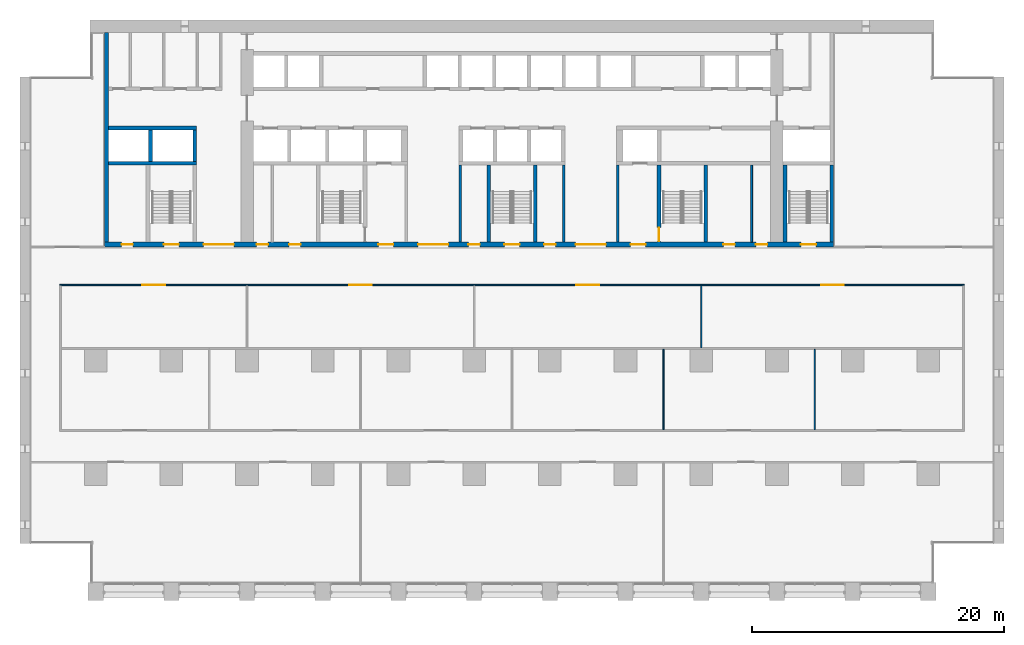
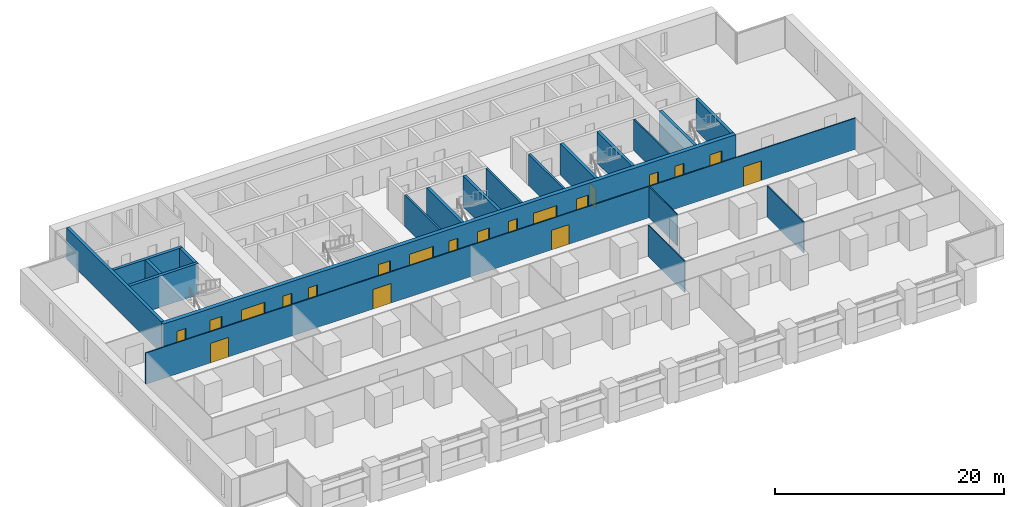
# One storey, part 10 of 18: 20 doors, 20 walls, 20 openings.
"""IFC4 building model written with IfcOpenShell, lengths in metres."""

from ifc_helpers import new_model, si_unit, direction, frame, frame_2d, origin, place, context, subcontext, project, spatial, rectangle, extrude, material, layer, layer_set, type_object, element, fill, save


model = new_model("IFC4")

# Units and contexts
model_context = context("Model", 3, precision=1e-05, world=origin(), true_north=direction((0.0, 1.0)))
body_context = subcontext(model_context, "Body", "Model", "MODEL_VIEW")
ifc_project = project(units=[si_unit("LENGTHUNIT", "METRE"), si_unit("AREAUNIT", "SQUARE_METRE"), si_unit("VOLUMEUNIT", "CUBIC_METRE"), si_unit("PLANEANGLEUNIT", "RADIAN"), si_unit("MASSUNIT", "GRAM", prefix="KILO")], contexts=[model_context])

# Site, building, storey
site_placement = place(None, origin())
site = spatial("IfcSite", under=ifc_project, at=site_placement, CompositionType="ELEMENT")
building_placement = place(site_placement, origin())
building = spatial("IfcBuilding", under=site, at=building_placement, Name="Calvaro Tower", CompositionType="ELEMENT")
storey_placement = place(building_placement, frame((0.0, 0.0, 33.75)))
storey = spatial("IfcBuildingStorey", under=building, at=storey_placement, Name="L07", CompositionType="ELEMENT", Elevation=33.75)

# Walls
ifc_material_1 = material(Name="Blockwork partition", Category="masonry")
ifc_layer_1 = layer(ifc_material_1, 0.14990234375)
ifc_layer_set_1 = layer_set([ifc_layer_1], Name="Blockwork partition")
wall_type_1 = type_object("IfcWallType", Name="Core partition 150 EI 60", PredefinedType="PARTITIONING", material=ifc_layer_set_1)
wall_1_placement = place(storey_placement, frame((58.0, 28.39990234375, 0.0), z_axis=(0.0, 0.0, 1.0), x_axis=(0.0, 1.0, 0.0)))
element("IfcWall", 1, at=wall_1_placement, inside=storey, type_object=wall_type_1, Name="Core partition", PredefinedType="PARTITIONING", context=body_context, shape_type="SweptSolid", body=[
    extrude(rectangle(XDim=6.10009765625, YDim=0.14990234375, at=frame_2d((3.050048828125, 0.0))), origin(), (0.0, 0.0, 1.0), 3.35009765625),
])
ifc_material_2 = material(Name="Blockwork partition", Category="masonry")
ifc_layer_2 = layer(ifc_material_2, 0.199951171875)
ifc_layer_set_2 = layer_set([ifc_layer_2], Name="Blockwork partition")
wall_type_2 = type_object("IfcWallType", Name="Core partition 200 REI 120", PredefinedType="PARTITIONING", material=ifc_layer_set_2)
for number, where, z_axis, x_axis, name in (
    (2, (34.89990234375, 28.39990234375, 0.0), (0.0, 0.0, 1.0), (0.0, 1.0, 0.0), "Core partition"),
    (3, (43.10009765625, 28.39990234375, 0.0), (0.0, 0.0, 1.0), (0.0, 1.0, 0.0), "Core partition"),
    (4, (47.39990234375, 28.39990234375, 0.0), (0.0, 0.0, 1.0), (0.0, 1.0, 0.0), "Core partition"),
):
    element("IfcWall", number, at=place(storey_placement, frame(where, z_axis=z_axis, x_axis=x_axis)), inside=storey, type_object=wall_type_2, Name=name, PredefinedType="PARTITIONING", context=body_context, shape_type="SweptSolid", body=[
        extrude(rectangle(XDim=6.10009765625, YDim=0.199951171875, at=frame_2d((3.050048828125, 0.0))), origin(), (0.0, 0.0, 1.0), 3.35009765625),
    ])
ifc_material_3 = material(Name="Concrete C80/95", Category="concrete")
ifc_layer_3 = layer(ifc_material_3, 0.300048828125)
ifc_layer_set_3 = layer_set([ifc_layer_3], Name="Concrete C80/95")
wall_type_3 = type_object("IfcWallType", Name="Core wall C80/95 300", PredefinedType="SHEAR", material=ifc_layer_set_3)
wall_2_placement = place(storey_placement, frame((6.85009765625, 28.39990234375, 0.0), z_axis=(0.0, 0.0, 1.0), x_axis=(0.0, 1.0, 0.0)))
element("IfcWall", 5, at=wall_2_placement, inside=storey, type_object=wall_type_3, Name="Core wall, boundary", PredefinedType="SHEAR", context=body_context, shape_type="SweptSolid", body=[
    extrude(rectangle(XDim=16.60009765625, YDim=0.300048828125, at=frame_2d((8.300048828125, 0.0))), origin(), (0.0, 0.0, 1.0), 3.35009765625),
])
for number, where, z_axis, x_axis, name in (
    (6, (37.14990234375, 28.39990234375, 0.0), (0.0, 0.0, 1.0), (0.0, 1.0, 0.0), "Core wall, stair enclosure"),
    (7, (40.85009765625, 28.39990234375, 0.0), (0.0, 0.0, 1.0), (0.0, 1.0, 0.0), "Core wall, stair enclosure"),
):
    element("IfcWall", number, at=place(storey_placement, frame(where, z_axis=z_axis, x_axis=x_axis)), inside=storey, type_object=wall_type_3, Name=name, PredefinedType="SHEAR", context=body_context, shape_type="SweptSolid", body=[
        extrude(rectangle(XDim=6.10009765625, YDim=0.300048828125, at=frame_2d((3.050048828125, 0.0))), origin(), (0.0, 0.0, 1.0), 3.35009765625),
    ])

# Wall, opening, door
wall_3_placement = place(storey_placement, frame((50.64990234375, 34.5, 0.0), z_axis=(0.0, 0.0, 1.0), x_axis=(0.0, -1.0, 0.0)))
wall_3 = element("IfcWall", 8, at=wall_3_placement, inside=storey, type_object=wall_type_3, Name="Core wall, stair enclosure", PredefinedType="SHEAR", context=body_context, shape_type="SweptSolid", body=[
    extrude(rectangle(XDim=6.10009765625, YDim=0.300048828125, at=frame_2d((3.050048828125, 0.0))), origin(), (0.0, 0.0, 1.0), 3.35009765625),
])
opening_1_placement = place(wall_3_placement, frame((4.949951171875, 0.0, 0.0)))
opening_1 = element("IfcOpeningElement", 9, at=opening_1_placement, cuts=wall_3, Name="Opening FD11D", PredefinedType="OPENING", context=body_context, shape_type="SweptSolid", body=[
    extrude(rectangle(XDim=1.10009765625, YDim=2.10009765625, at=frame_2d((0.550048828125, 1.050048828125))), frame((0.0, 0.159912109375, 0.0), z_axis=(0.0, -1.0, 0.0), x_axis=(1.0, 0.0, 0.0)), (0.0, 0.0, 1.0), 0.320068359375),
])
ifc_material_4 = material(Name="Steel door set", Category="steel")
door_type_1 = type_object("IfcDoorType", Name="Fire door 1100 FD30S", OperationType="SINGLE_SWING_LEFT", PredefinedType="DOOR", material=ifc_material_4)
door_1_placement = place(opening_1_placement, origin())
door_1 = element("IfcDoor", 10, at=door_1_placement, inside=storey, type_object=door_type_1, Name="Fire door", OperationType="SINGLE_SWING_RIGHT", OverallHeight=2.10009765625, OverallWidth=1.10009765625, PredefinedType="DOOR", context=body_context, shape_type="SweptSolid", body=[
    extrude(rectangle(XDim=1.10009765625, YDim=2.10009765625, at=frame_2d((0.550048828125, 1.050048828125))), frame((0.0, 0.02490234375, 0.0), z_axis=(0.0, -1.0, 0.0), x_axis=(1.0, 0.0, 0.0)), (0.0, 0.0, 1.0), 0.050048828125),
])
fill(opening_1, door_1)

# Walls
for number, where, z_axis, x_axis, name in (
    (11, (54.35009765625, 28.39990234375, 0.0), (0.0, 0.0, 1.0), (0.0, 1.0, 0.0), "Core wall, stair enclosure"),
    (12, (60.64990234375, 28.39990234375, 0.0), (0.0, 0.0, 1.0), (0.0, 1.0, 0.0), "Core wall, stair enclosure"),
    (13, (64.35009765625, 28.39990234375, 0.0), (0.0, 0.0, 1.0), (0.0, 1.0, 0.0), "Core wall, stair enclosure"),
):
    element("IfcWall", number, at=place(storey_placement, frame(where, z_axis=z_axis, x_axis=x_axis)), inside=storey, type_object=wall_type_3, Name=name, PredefinedType="SHEAR", context=body_context, shape_type="SweptSolid", body=[
        extrude(rectangle(XDim=6.10009765625, YDim=0.300048828125, at=frame_2d((3.050048828125, 0.0))), origin(), (0.0, 0.0, 1.0), 3.35009765625),
    ])
for number, where, z_axis, x_axis, name in (
    (14, (7.0, 34.64990234375, 0.0), (0.0, 0.0, 1.0), (1.0, 0.0, 0.0), "Core wall, lift shaft"),
    (15, (7.0, 37.449951171875, 0.0), (0.0, 0.0, 1.0), (1.0, 0.0, 0.0), "Core wall, lift shaft"),
):
    element("IfcWall", number, at=place(storey_placement, frame(where, z_axis=z_axis, x_axis=x_axis)), inside=storey, type_object=wall_type_3, Name=name, PredefinedType="SHEAR", context=body_context, shape_type="SweptSolid", body=[
        extrude(rectangle(XDim=7.0, YDim=0.300048828125, at=frame_2d((3.5, 0.0))), origin(), (0.0, 0.0, 1.0), 3.35009765625),
    ])
for number, where, z_axis, x_axis, name in (
    (16, (13.85009765625, 34.800048828125, 0.0), (0.0, 0.0, 1.0), (0.0, 1.0, 0.0), "Core wall, lift shaft"),
    (17, (10.35009765625, 34.800048828125, 0.0), (0.0, 0.0, 1.0), (0.0, 1.0, 0.0), "Core wall, lift shaft"),
):
    element("IfcWall", number, at=place(storey_placement, frame(where, z_axis=z_axis, x_axis=x_axis)), inside=storey, type_object=wall_type_3, Name=name, PredefinedType="SHEAR", context=body_context, shape_type="SweptSolid", body=[
        extrude(rectangle(XDim=2.5, YDim=0.300048828125, at=frame_2d((1.25, 0.0))), origin(), (0.0, 0.0, 1.0), 3.35009765625),
    ])

# Wall, openings, doors
ifc_material_5 = material(Name="Concrete C80/95", Category="concrete")
ifc_layer_4 = layer(ifc_material_5, 0.39990234375)
ifc_layer_set_4 = layer_set([ifc_layer_4], Name="Concrete C80/95")
wall_type_4 = type_object("IfcWallType", Name="Core wall C80/95 400", PredefinedType="SHEAR", material=ifc_layer_set_4)
wall_4_placement = place(storey_placement, frame((6.699951171875, 28.199951171875, 0.0), z_axis=(0.0, 0.0, 1.0), x_axis=(1.0, 0.0, 0.0)))
wall_4 = element("IfcWall", 18, at=wall_4_placement, inside=storey, type_object=wall_type_4, Name="Core wall, front", PredefinedType="SHEAR", context=body_context, shape_type="SweptSolid", body=[
    extrude(rectangle(XDim=57.800048828125, YDim=0.39990234375, at=frame_2d((28.89990234375, 0.0))), origin(), (0.0, 0.0, 1.0), 3.35009765625),
])
opening_2_placement = place(wall_4_placement, frame((12.0625, 0.0, 0.0)))
opening_2 = element("IfcOpeningElement", 19, at=opening_2_placement, cuts=wall_4, Name="Opening RD9C", PredefinedType="OPENING", context=body_context, shape_type="SweptSolid", body=[
    extrude(rectangle(XDim=0.89990234375, YDim=2.10009765625, at=frame_2d((0.449951171875, 1.050048828125))), frame((0.0, 0.2099609375, 0.0), z_axis=(0.0, -1.0, 0.0), x_axis=(1.0, 0.0, 0.0)), (0.0, 0.0, 1.0), 0.419921875),
])
opening_3_placement = place(wall_4_placement, frame((14.637451171875, 0.0, 0.0)))
opening_3 = element("IfcOpeningElement", 20, at=opening_3_placement, cuts=wall_4, Name="Opening RD9E", PredefinedType="OPENING", context=body_context, shape_type="SweptSolid", body=[
    extrude(rectangle(XDim=0.89990234375, YDim=2.10009765625, at=frame_2d((0.449951171875, 1.050048828125))), frame((0.0, 0.2099609375, 0.0), z_axis=(0.0, -1.0, 0.0), x_axis=(1.0, 0.0, 0.0)), (0.0, 0.0, 1.0), 0.419921875),
])
opening_4_placement = place(wall_4_placement, frame((49.0625, 0.0, 0.0)))
opening_4 = element("IfcOpeningElement", 21, at=opening_4_placement, cuts=wall_4, Name="Opening RD9E", PredefinedType="OPENING", context=body_context, shape_type="SweptSolid", body=[
    extrude(rectangle(XDim=0.89990234375, YDim=2.10009765625, at=frame_2d((0.449951171875, 1.050048828125))), frame((0.0, 0.2099609375, 0.0), z_axis=(0.0, -1.0, 0.0), x_axis=(1.0, 0.0, 0.0)), (0.0, 0.0, 1.0), 0.419921875),
])
opening_5_placement = place(wall_4_placement, frame((51.637451171875, 0.0, 0.0)))
opening_5 = element("IfcOpeningElement", 22, at=opening_5_placement, cuts=wall_4, Name="Opening RD9C", PredefinedType="OPENING", context=body_context, shape_type="SweptSolid", body=[
    extrude(rectangle(XDim=0.89990234375, YDim=2.10009765625, at=frame_2d((0.449951171875, 1.050048828125))), frame((0.0, 0.2099609375, 0.0), z_axis=(0.0, -1.0, 0.0), x_axis=(1.0, 0.0, 0.0)), (0.0, 0.0, 1.0), 0.419921875),
])
opening_6_placement = place(wall_4_placement, frame((1.35009765625, 0.0, 0.0)))
opening_6 = element("IfcOpeningElement", 23, at=opening_6_placement, cuts=wall_4, Name="Opening RD9E", PredefinedType="OPENING", context=body_context, shape_type="SweptSolid", body=[
    extrude(rectangle(XDim=0.89990234375, YDim=2.10009765625, at=frame_2d((0.449951171875, 1.050048828125))), frame((0.0, 0.2099609375, 0.0), z_axis=(0.0, -1.0, 0.0), x_axis=(1.0, 0.0, 0.0)), (0.0, 0.0, 1.0), 0.419921875),
])
opening_7_placement = place(wall_4_placement, frame((4.699951171875, 0.0, 0.0)))
opening_7 = element("IfcOpeningElement", 24, at=opening_7_placement, cuts=wall_4, Name="Opening SD12D", PredefinedType="OPENING", context=body_context, shape_type="SweptSolid", body=[
    extrude(rectangle(XDim=1.199951171875, YDim=2.10009765625, at=frame_2d((0.60009765625, 1.050048828125))), frame((0.0, 0.2099609375, 0.0), z_axis=(0.0, -1.0, 0.0), x_axis=(1.0, 0.0, 0.0)), (0.0, 0.0, 1.0), 0.419921875),
])
opening_8_placement = place(wall_4_placement, frame((31.699951171875, 0.0, 0.0)))
opening_8 = element("IfcOpeningElement", 25, at=opening_8_placement, cuts=wall_4, Name="Opening SD12D", PredefinedType="OPENING", context=body_context, shape_type="SweptSolid", body=[
    extrude(rectangle(XDim=1.199951171875, YDim=2.10009765625, at=frame_2d((0.60009765625, 1.050048828125))), frame((0.0, 0.2099609375, 0.0), z_axis=(0.0, -1.0, 0.0), x_axis=(1.0, 0.0, 0.0)), (0.0, 0.0, 1.0), 0.419921875),
])
opening_9_placement = place(wall_4_placement, frame((55.199951171875, 0.0, 0.0)))
opening_9 = element("IfcOpeningElement", 26, at=opening_9_placement, cuts=wall_4, Name="Opening SD12D", PredefinedType="OPENING", context=body_context, shape_type="SweptSolid", body=[
    extrude(rectangle(XDim=1.199951171875, YDim=2.10009765625, at=frame_2d((0.60009765625, 1.050048828125))), frame((0.0, 0.2099609375, 0.0), z_axis=(0.0, -1.0, 0.0), x_axis=(1.0, 0.0, 0.0)), (0.0, 0.0, 1.0), 0.419921875),
])
opening_10_placement = place(wall_4_placement, frame((21.699951171875, 0.0, 0.0)))
opening_10 = element("IfcOpeningElement", 27, at=opening_10_placement, cuts=wall_4, Name="Opening FD12F", PredefinedType="OPENING", context=body_context, shape_type="SweptSolid", body=[
    extrude(rectangle(XDim=1.199951171875, YDim=2.10009765625, at=frame_2d((0.60009765625, 1.050048828125))), frame((0.0, 0.2099609375, 0.0), z_axis=(0.0, -1.0, 0.0), x_axis=(1.0, 0.0, 0.0)), (0.0, 0.0, 1.0), 0.419921875),
])
opening_11_placement = place(wall_4_placement, frame((41.699951171875, 0.0, 0.0)))
opening_11 = element("IfcOpeningElement", 28, at=opening_11_placement, cuts=wall_4, Name="Opening FD12F", PredefinedType="OPENING", context=body_context, shape_type="SweptSolid", body=[
    extrude(rectangle(XDim=1.199951171875, YDim=2.10009765625, at=frame_2d((0.60009765625, 1.050048828125))), frame((0.0, 0.2099609375, 0.0), z_axis=(0.0, -1.0, 0.0), x_axis=(1.0, 0.0, 0.0)), (0.0, 0.0, 1.0), 0.419921875),
])
opening_12_placement = place(wall_4_placement, frame((24.85009765625, 0.0, 0.0)))
opening_12 = element("IfcOpeningElement", 29, at=opening_12_placement, cuts=wall_4, Name="Opening DD24D", PredefinedType="OPENING", context=body_context, shape_type="SweptSolid", body=[
    extrude(rectangle(XDim=2.39990234375, YDim=2.10009765625, at=frame_2d((1.199951171875, 1.050048828125))), frame((0.0, 0.2099609375, 0.0), z_axis=(0.0, -1.0, 0.0), x_axis=(1.0, 0.0, 0.0)), (0.0, 0.0, 1.0), 0.419921875),
])
opening_13_placement = place(wall_4_placement, frame((37.35009765625, 0.0, 0.0)))
opening_13 = element("IfcOpeningElement", 30, at=opening_13_placement, cuts=wall_4, Name="Opening DD24D", PredefinedType="OPENING", context=body_context, shape_type="SweptSolid", body=[
    extrude(rectangle(XDim=2.39990234375, YDim=2.10009765625, at=frame_2d((1.199951171875, 1.050048828125))), frame((0.0, 0.2099609375, 0.0), z_axis=(0.0, -1.0, 0.0), x_axis=(1.0, 0.0, 0.0)), (0.0, 0.0, 1.0), 0.419921875),
])
opening_14_placement = place(wall_4_placement, frame((7.85009765625, 0.0, 0.0)))
opening_14 = element("IfcOpeningElement", 31, at=opening_14_placement, cuts=wall_4, Name="Opening DD24D", PredefinedType="OPENING", context=body_context, shape_type="SweptSolid", body=[
    extrude(rectangle(XDim=2.39990234375, YDim=2.10009765625, at=frame_2d((1.199951171875, 1.050048828125))), frame((0.0, 0.2099609375, 0.0), z_axis=(0.0, -1.0, 0.0), x_axis=(1.0, 0.0, 0.0)), (0.0, 0.0, 1.0), 0.419921875),
])
opening_15_placement = place(wall_4_placement, frame((28.85009765625, 0.0, 0.0)))
opening_15 = element("IfcOpeningElement", 32, at=opening_15_placement, cuts=wall_4, Name="Opening RD9E", PredefinedType="OPENING", context=body_context, shape_type="SweptSolid", body=[
    extrude(rectangle(XDim=0.89990234375, YDim=2.10009765625, at=frame_2d((0.449951171875, 1.050048828125))), frame((0.0, 0.2099609375, 0.0), z_axis=(0.0, -1.0, 0.0), x_axis=(1.0, 0.0, 0.0)), (0.0, 0.0, 1.0), 0.419921875),
])
opening_16_placement = place(wall_4_placement, frame((34.85009765625, 0.0, 0.0)))
opening_16 = element("IfcOpeningElement", 33, at=opening_16_placement, cuts=wall_4, Name="Opening RD9E", PredefinedType="OPENING", context=body_context, shape_type="SweptSolid", body=[
    extrude(rectangle(XDim=0.89990234375, YDim=2.10009765625, at=frame_2d((0.449951171875, 1.050048828125))), frame((0.0, 0.2099609375, 0.0), z_axis=(0.0, -1.0, 0.0), x_axis=(1.0, 0.0, 0.0)), (0.0, 0.0, 1.0), 0.419921875),
])
ifc_material_6 = material(Name="Steel door set", Category="steel")
door_type_2 = type_object("IfcDoorType", Name="Fire door 1200 FD60S", OperationType="SINGLE_SWING_LEFT", PredefinedType="DOOR", material=ifc_material_6)
door_2_placement = place(opening_10_placement, origin())
door_2 = element("IfcDoor", 34, at=door_2_placement, inside=storey, type_object=door_type_2, Name="Fire door", OperationType="SINGLE_SWING_LEFT", OverallHeight=2.10009765625, OverallWidth=1.199951171875, PredefinedType="DOOR", context=body_context, shape_type="SweptSolid", body=[
    extrude(rectangle(XDim=1.199951171875, YDim=2.10009765625, at=frame_2d((0.60009765625, 1.050048828125))), frame((0.0, 0.02490234375, 0.0), z_axis=(0.0, -1.0, 0.0), x_axis=(1.0, 0.0, 0.0)), (0.0, 0.0, 1.0), 0.050048828125),
])
fill(opening_10, door_2)
door_3_placement = place(opening_11_placement, origin())
door_3 = element("IfcDoor", 35, at=door_3_placement, inside=storey, type_object=door_type_2, Name="Fire door", OperationType="SINGLE_SWING_LEFT", OverallHeight=2.10009765625, OverallWidth=1.199951171875, PredefinedType="DOOR", context=body_context, shape_type="SweptSolid", body=[
    extrude(rectangle(XDim=1.199951171875, YDim=2.10009765625, at=frame_2d((0.60009765625, 1.050048828125))), frame((0.0, 0.02490234375, 0.0), z_axis=(0.0, -1.0, 0.0), x_axis=(1.0, 0.0, 0.0)), (0.0, 0.0, 1.0), 0.050048828125),
])
fill(opening_11, door_3)
ifc_material_7 = material(Name="Steel door set", Category="steel")
door_type_3 = type_object("IfcDoorType", Name="Lobby double door 2400 FD30S", OperationType="DOUBLE_DOOR_SINGLE_SWING", PredefinedType="DOOR", material=ifc_material_7)
door_4_placement = place(opening_12_placement, origin())
door_4 = element("IfcDoor", 36, at=door_4_placement, inside=storey, type_object=door_type_3, Name="Lobby double door", OperationType="DOUBLE_DOOR_SINGLE_SWING", OverallHeight=2.10009765625, OverallWidth=2.39990234375, PredefinedType="DOOR", context=body_context, shape_type="SweptSolid", body=[
    extrude(rectangle(XDim=2.39990234375, YDim=2.10009765625, at=frame_2d((1.199951171875, 1.050048828125))), frame((0.0, 0.02490234375, 0.0), z_axis=(0.0, -1.0, 0.0), x_axis=(1.0, 0.0, 0.0)), (0.0, 0.0, 1.0), 0.050048828125),
])
fill(opening_12, door_4)
door_5_placement = place(opening_13_placement, origin())
door_5 = element("IfcDoor", 37, at=door_5_placement, inside=storey, type_object=door_type_3, Name="Lobby double door", OperationType="DOUBLE_DOOR_SINGLE_SWING", OverallHeight=2.10009765625, OverallWidth=2.39990234375, PredefinedType="DOOR", context=body_context, shape_type="SweptSolid", body=[
    extrude(rectangle(XDim=2.39990234375, YDim=2.10009765625, at=frame_2d((1.199951171875, 1.050048828125))), frame((0.0, 0.02490234375, 0.0), z_axis=(0.0, -1.0, 0.0), x_axis=(1.0, 0.0, 0.0)), (0.0, 0.0, 1.0), 0.050048828125),
])
fill(opening_13, door_5)
door_6_placement = place(opening_14_placement, origin())
door_6 = element("IfcDoor", 38, at=door_6_placement, inside=storey, type_object=door_type_3, Name="Lobby double door", OperationType="DOUBLE_DOOR_SINGLE_SWING", OverallHeight=2.10009765625, OverallWidth=2.39990234375, PredefinedType="DOOR", context=body_context, shape_type="SweptSolid", body=[
    extrude(rectangle(XDim=2.39990234375, YDim=2.10009765625, at=frame_2d((1.199951171875, 1.050048828125))), frame((0.0, 0.02490234375, 0.0), z_axis=(0.0, -1.0, 0.0), x_axis=(1.0, 0.0, 0.0)), (0.0, 0.0, 1.0), 0.050048828125),
])
fill(opening_14, door_6)
ifc_material_8 = material(Name="Steel door set", Category="steel")
door_type_4 = type_object("IfcDoorType", Name="Room door 900 FD30", OperationType="SINGLE_SWING_LEFT", PredefinedType="DOOR", material=ifc_material_8)
door_7_placement = place(opening_2_placement, origin())
door_7 = element("IfcDoor", 39, at=door_7_placement, inside=storey, type_object=door_type_4, Name="Room door", OperationType="SINGLE_SWING_LEFT", OverallHeight=2.10009765625, OverallWidth=0.89990234375, PredefinedType="DOOR", context=body_context, shape_type="SweptSolid", body=[
    extrude(rectangle(XDim=0.89990234375, YDim=2.10009765625, at=frame_2d((0.449951171875, 1.050048828125))), frame((0.0, 0.02490234375, 0.0), z_axis=(0.0, -1.0, 0.0), x_axis=(1.0, 0.0, 0.0)), (0.0, 0.0, 1.0), 0.050048828125),
])
fill(opening_2, door_7)
door_8_placement = place(opening_5_placement, origin())
door_8 = element("IfcDoor", 40, at=door_8_placement, inside=storey, type_object=door_type_4, Name="Room door", OperationType="SINGLE_SWING_LEFT", OverallHeight=2.10009765625, OverallWidth=0.89990234375, PredefinedType="DOOR", context=body_context, shape_type="SweptSolid", body=[
    extrude(rectangle(XDim=0.89990234375, YDim=2.10009765625, at=frame_2d((0.449951171875, 1.050048828125))), frame((0.0, 0.02490234375, 0.0), z_axis=(0.0, -1.0, 0.0), x_axis=(1.0, 0.0, 0.0)), (0.0, 0.0, 1.0), 0.050048828125),
])
fill(opening_5, door_8)
ifc_material_9 = material(Name="Steel door set", Category="steel")
door_type_5 = type_object("IfcDoorType", Name="Room door 900 FD60", OperationType="SINGLE_SWING_LEFT", PredefinedType="DOOR", material=ifc_material_9)
door_9_placement = place(opening_3_placement, origin())
door_9 = element("IfcDoor", 41, at=door_9_placement, inside=storey, type_object=door_type_5, Name="Room door", OperationType="SINGLE_SWING_RIGHT", OverallHeight=2.10009765625, OverallWidth=0.89990234375, PredefinedType="DOOR", context=body_context, shape_type="SweptSolid", body=[
    extrude(rectangle(XDim=0.89990234375, YDim=2.10009765625, at=frame_2d((0.449951171875, 1.050048828125))), frame((0.0, 0.02490234375, 0.0), z_axis=(0.0, -1.0, 0.0), x_axis=(1.0, 0.0, 0.0)), (0.0, 0.0, 1.0), 0.050048828125),
])
fill(opening_3, door_9)
door_10_placement = place(opening_4_placement, origin())
door_10 = element("IfcDoor", 42, at=door_10_placement, inside=storey, type_object=door_type_5, Name="Room door", OperationType="SINGLE_SWING_LEFT", OverallHeight=2.10009765625, OverallWidth=0.89990234375, PredefinedType="DOOR", context=body_context, shape_type="SweptSolid", body=[
    extrude(rectangle(XDim=0.89990234375, YDim=2.10009765625, at=frame_2d((0.449951171875, 1.050048828125))), frame((0.0, 0.02490234375, 0.0), z_axis=(0.0, -1.0, 0.0), x_axis=(1.0, 0.0, 0.0)), (0.0, 0.0, 1.0), 0.050048828125),
])
fill(opening_4, door_10)
door_11_placement = place(opening_6_placement, origin())
door_11 = element("IfcDoor", 43, at=door_11_placement, inside=storey, type_object=door_type_5, Name="Room door", OperationType="SINGLE_SWING_LEFT", OverallHeight=2.10009765625, OverallWidth=0.89990234375, PredefinedType="DOOR", context=body_context, shape_type="SweptSolid", body=[
    extrude(rectangle(XDim=0.89990234375, YDim=2.10009765625, at=frame_2d((0.449951171875, 1.050048828125))), frame((0.0, 0.02490234375, 0.0), z_axis=(0.0, -1.0, 0.0), x_axis=(1.0, 0.0, 0.0)), (0.0, 0.0, 1.0), 0.050048828125),
])
fill(opening_6, door_11)
door_12_placement = place(opening_15_placement, origin())
door_12 = element("IfcDoor", 44, at=door_12_placement, inside=storey, type_object=door_type_5, Name="Room door", OperationType="SINGLE_SWING_LEFT", OverallHeight=2.10009765625, OverallWidth=0.89990234375, PredefinedType="DOOR", context=body_context, shape_type="SweptSolid", body=[
    extrude(rectangle(XDim=0.89990234375, YDim=2.10009765625, at=frame_2d((0.449951171875, 1.050048828125))), frame((0.0, 0.02490234375, 0.0), z_axis=(0.0, -1.0, 0.0), x_axis=(1.0, 0.0, 0.0)), (0.0, 0.0, 1.0), 0.050048828125),
])
fill(opening_15, door_12)
door_13_placement = place(opening_16_placement, origin())
door_13 = element("IfcDoor", 45, at=door_13_placement, inside=storey, type_object=door_type_5, Name="Room door", OperationType="SINGLE_SWING_LEFT", OverallHeight=2.10009765625, OverallWidth=0.89990234375, PredefinedType="DOOR", context=body_context, shape_type="SweptSolid", body=[
    extrude(rectangle(XDim=0.89990234375, YDim=2.10009765625, at=frame_2d((0.449951171875, 1.050048828125))), frame((0.0, 0.02490234375, 0.0), z_axis=(0.0, -1.0, 0.0), x_axis=(1.0, 0.0, 0.0)), (0.0, 0.0, 1.0), 0.050048828125),
])
fill(opening_16, door_13)
ifc_material_10 = material(Name="Steel door set", Category="steel")
door_type_6 = type_object("IfcDoorType", Name="Stair door 1200 FD30S", OperationType="SINGLE_SWING_LEFT", PredefinedType="DOOR", material=ifc_material_10)
door_14_placement = place(opening_7_placement, origin())
door_14 = element("IfcDoor", 46, at=door_14_placement, inside=storey, type_object=door_type_6, Name="Stair door", OperationType="SINGLE_SWING_LEFT", OverallHeight=2.10009765625, OverallWidth=1.199951171875, PredefinedType="DOOR", context=body_context, shape_type="SweptSolid", body=[
    extrude(rectangle(XDim=1.199951171875, YDim=2.10009765625, at=frame_2d((0.60009765625, 1.050048828125))), frame((0.0, 0.02490234375, 0.0), z_axis=(0.0, -1.0, 0.0), x_axis=(1.0, 0.0, 0.0)), (0.0, 0.0, 1.0), 0.050048828125),
])
fill(opening_7, door_14)
door_15_placement = place(opening_8_placement, origin())
door_15 = element("IfcDoor", 47, at=door_15_placement, inside=storey, type_object=door_type_6, Name="Stair door", OperationType="SINGLE_SWING_LEFT", OverallHeight=2.10009765625, OverallWidth=1.199951171875, PredefinedType="DOOR", context=body_context, shape_type="SweptSolid", body=[
    extrude(rectangle(XDim=1.199951171875, YDim=2.10009765625, at=frame_2d((0.60009765625, 1.050048828125))), frame((0.0, 0.02490234375, 0.0), z_axis=(0.0, -1.0, 0.0), x_axis=(1.0, 0.0, 0.0)), (0.0, 0.0, 1.0), 0.050048828125),
])
fill(opening_8, door_15)
door_16_placement = place(opening_9_placement, origin())
door_16 = element("IfcDoor", 48, at=door_16_placement, inside=storey, type_object=door_type_6, Name="Stair door", OperationType="SINGLE_SWING_LEFT", OverallHeight=2.10009765625, OverallWidth=1.199951171875, PredefinedType="DOOR", context=body_context, shape_type="SweptSolid", body=[
    extrude(rectangle(XDim=1.199951171875, YDim=2.10009765625, at=frame_2d((0.60009765625, 1.050048828125))), frame((0.0, 0.02490234375, 0.0), z_axis=(0.0, -1.0, 0.0), x_axis=(1.0, 0.0, 0.0)), (0.0, 0.0, 1.0), 0.050048828125),
])
fill(opening_9, door_16)

ifc_material_11 = material(Name="Plasterboard on steel studs", Category="steel")
ifc_layer_5 = layer(ifc_material_11, 0.10009765625)
ifc_layer_set_5 = layer_set([ifc_layer_5], Name="Plasterboard on steel studs")
wall_type_5 = type_object("IfcWallType", Name="Partition 100", PredefinedType="PARTITIONING", material=ifc_layer_set_5)
wall_5_placement = place(storey_placement, frame((3.14990234375, 25.0, 0.0), z_axis=(0.0, 0.0, 1.0), x_axis=(1.0, 0.0, 0.0)))
wall_5 = element("IfcWall", 49, at=wall_5_placement, inside=storey, type_object=wall_type_5, Name="Partition T08.W004", PredefinedType="PARTITIONING", context=body_context, shape_type="SweptSolid", body=[
    extrude(rectangle(XDim=71.7001953125, YDim=0.10009765625, at=frame_2d((35.85009765625, 0.0))), origin(), (0.0, 0.0, 1.0), 3.35009765625),
])
opening_17_placement = place(wall_5_placement, frame((6.550048828125, 0.0, 0.0)))
opening_17 = element("IfcOpeningElement", 50, at=opening_17_placement, cuts=wall_5, Name="Opening T08.013", PredefinedType="OPENING", context=body_context, shape_type="SweptSolid", body=[
    extrude(rectangle(XDim=1.800048828125, YDim=2.10009765625, at=frame_2d((0.89990234375, 1.050048828125))), frame((0.0, 0.06005859375, 0.0), z_axis=(0.0, -1.0, 0.0), x_axis=(1.0, 0.0, 0.0)), (0.0, 0.0, 1.0), 0.1201171875),
])
opening_18_placement = place(wall_5_placement, frame((22.949951171875, 0.0, 0.0)))
opening_18 = element("IfcOpeningElement", 51, at=opening_18_placement, cuts=wall_5, Name="Opening T08.014", PredefinedType="OPENING", context=body_context, shape_type="SweptSolid", body=[
    extrude(rectangle(XDim=1.800048828125, YDim=2.10009765625, at=frame_2d((0.89990234375, 1.050048828125))), frame((0.0, 0.06005859375, 0.0), z_axis=(0.0, -1.0, 0.0), x_axis=(1.0, 0.0, 0.0)), (0.0, 0.0, 1.0), 0.1201171875),
])
opening_19_placement = place(wall_5_placement, frame((40.949951171875, 0.0, 0.0)))
opening_19 = element("IfcOpeningElement", 52, at=opening_19_placement, cuts=wall_5, Name="Opening T08.015", PredefinedType="OPENING", context=body_context, shape_type="SweptSolid", body=[
    extrude(rectangle(XDim=1.800048828125, YDim=2.10009765625, at=frame_2d((0.89990234375, 1.050048828125))), frame((0.0, 0.06005859375, 0.0), z_axis=(0.0, -1.0, 0.0), x_axis=(1.0, 0.0, 0.0)), (0.0, 0.0, 1.0), 0.1201171875),
])
opening_20_placement = place(wall_5_placement, frame((60.35009765625, 0.0, 0.0)))
opening_20 = element("IfcOpeningElement", 53, at=opening_20_placement, cuts=wall_5, Name="Opening T08.016", PredefinedType="OPENING", context=body_context, shape_type="SweptSolid", body=[
    extrude(rectangle(XDim=1.800048828125, YDim=2.10009765625, at=frame_2d((0.89990234375, 1.050048828125))), frame((0.0, 0.06005859375, 0.0), z_axis=(0.0, -1.0, 0.0), x_axis=(1.0, 0.0, 0.0)), (0.0, 0.0, 1.0), 0.1201171875),
])
ifc_material_12 = material(Name="Timber", Category="wood")
door_type_7 = type_object("IfcDoorType", Name="Internal double door 1800 x 2100", OperationType="DOUBLE_DOOR_SINGLE_SWING", PredefinedType="DOOR", material=ifc_material_12)
door_17_placement = place(opening_17_placement, origin())
door_17 = element("IfcDoor", 54, at=door_17_placement, inside=storey, type_object=door_type_7, Name="Door T08.013", OperationType="DOUBLE_DOOR_SINGLE_SWING", OverallHeight=2.10009765625, OverallWidth=1.800048828125, PredefinedType="DOOR", context=body_context, shape_type="SweptSolid", body=[
    extrude(rectangle(XDim=1.800048828125, YDim=2.10009765625, at=frame_2d((0.89990234375, 1.050048828125))), frame((0.0, 0.02490234375, 0.0), z_axis=(0.0, -1.0, 0.0), x_axis=(1.0, 0.0, 0.0)), (0.0, 0.0, 1.0), 0.050048828125),
])
fill(opening_17, door_17)
door_18_placement = place(opening_18_placement, origin())
door_18 = element("IfcDoor", 55, at=door_18_placement, inside=storey, type_object=door_type_7, Name="Door T08.014", OperationType="DOUBLE_DOOR_SINGLE_SWING", OverallHeight=2.10009765625, OverallWidth=1.800048828125, PredefinedType="DOOR", context=body_context, shape_type="SweptSolid", body=[
    extrude(rectangle(XDim=1.800048828125, YDim=2.10009765625, at=frame_2d((0.89990234375, 1.050048828125))), frame((0.0, 0.02490234375, 0.0), z_axis=(0.0, -1.0, 0.0), x_axis=(1.0, 0.0, 0.0)), (0.0, 0.0, 1.0), 0.050048828125),
])
fill(opening_18, door_18)
door_19_placement = place(opening_19_placement, origin())
door_19 = element("IfcDoor", 56, at=door_19_placement, inside=storey, type_object=door_type_7, Name="Door T08.015", OperationType="DOUBLE_DOOR_SINGLE_SWING", OverallHeight=2.10009765625, OverallWidth=1.800048828125, PredefinedType="DOOR", context=body_context, shape_type="SweptSolid", body=[
    extrude(rectangle(XDim=1.800048828125, YDim=2.10009765625, at=frame_2d((0.89990234375, 1.050048828125))), frame((0.0, 0.02490234375, 0.0), z_axis=(0.0, -1.0, 0.0), x_axis=(1.0, 0.0, 0.0)), (0.0, 0.0, 1.0), 0.050048828125),
])
fill(opening_19, door_19)
door_20_placement = place(opening_20_placement, origin())
door_20 = element("IfcDoor", 57, at=door_20_placement, inside=storey, type_object=door_type_7, Name="Door T08.016", OperationType="DOUBLE_DOOR_SINGLE_SWING", OverallHeight=2.10009765625, OverallWidth=1.800048828125, PredefinedType="DOOR", context=body_context, shape_type="SweptSolid", body=[
    extrude(rectangle(XDim=1.800048828125, YDim=2.10009765625, at=frame_2d((0.89990234375, 1.050048828125))), frame((0.0, 0.02490234375, 0.0), z_axis=(0.0, -1.0, 0.0), x_axis=(1.0, 0.0, 0.0)), (0.0, 0.0, 1.0), 0.050048828125),
])
fill(opening_20, door_20)

# Walls
wall_6_placement = place(storey_placement, frame((51.0, 13.5, 0.0), z_axis=(0.0, 0.0, 1.0), x_axis=(0.0, 1.0, 0.0)))
element("IfcWall", 58, at=wall_6_placement, inside=storey, type_object=wall_type_5, Name="Partition T08.W015", PredefinedType="PARTITIONING", context=body_context, shape_type="SweptSolid", body=[
    extrude(rectangle(XDim=6.39990234375, YDim=0.10009765625, at=frame_2d((3.199951171875, 0.0))), origin(), (0.0, 0.0, 1.0), 3.35009765625),
])
wall_7_placement = place(storey_placement, frame((54.0, 20.0, 0.0), z_axis=(0.0, 0.0, 1.0), x_axis=(0.0, 1.0, 0.0)))
element("IfcWall", 59, at=wall_7_placement, inside=storey, type_object=wall_type_5, Name="Partition T08.W016", PredefinedType="PARTITIONING", context=body_context, shape_type="SweptSolid", body=[
    extrude(rectangle(XDim=4.949951171875, YDim=0.10009765625, at=frame_2d((2.47509765625, 0.0))), origin(), (0.0, 0.0, 1.0), 3.35009765625),
])
wall_8_placement = place(storey_placement, frame((63.0, 13.5, 0.0), z_axis=(0.0, 0.0, 1.0), x_axis=(0.0, 1.0, 0.0)))
element("IfcWall", 60, at=wall_8_placement, inside=storey, type_object=wall_type_5, Name="Partition T08.W017", PredefinedType="PARTITIONING", context=body_context, shape_type="SweptSolid", body=[
    extrude(rectangle(XDim=6.39990234375, YDim=0.10009765625, at=frame_2d((3.199951171875, 0.0))), origin(), (0.0, 0.0, 1.0), 3.35009765625),
])

save(model, "model.ifc")
